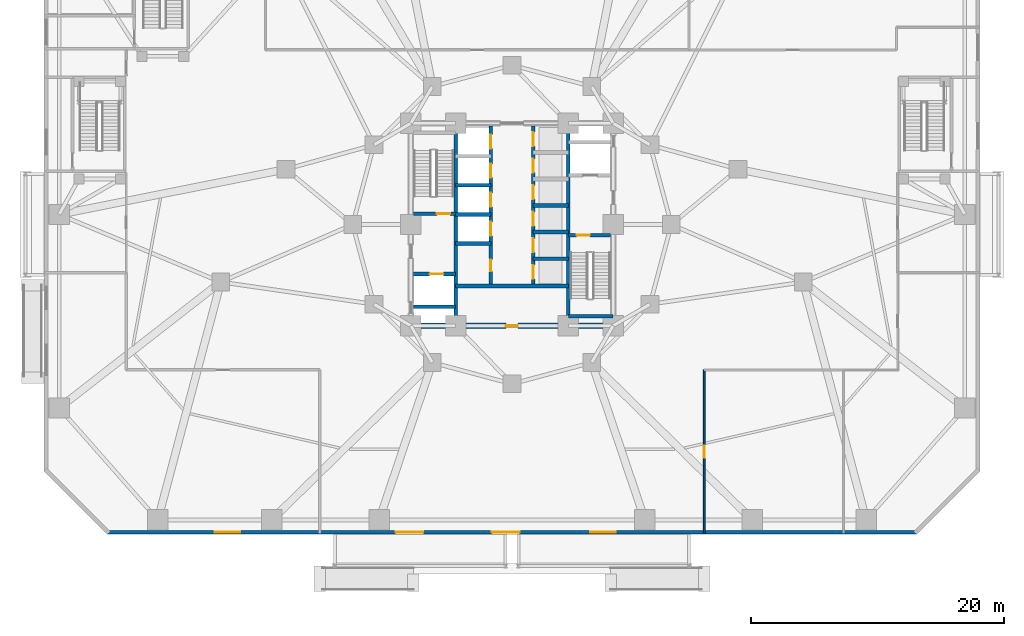
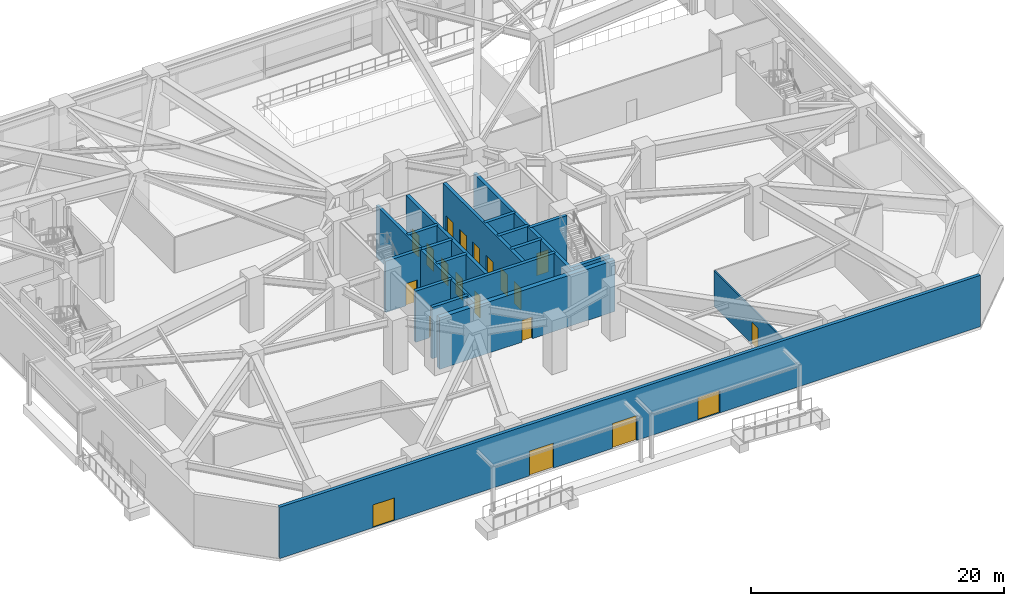
# One storey, part 17 of 30: 20 doors, 19 walls, 20 openings.
"""IFC4 building model written with IfcOpenShell, lengths in metres."""

from ifc_helpers import new_model, si_unit, direction, frame, frame_2d, origin, place, context, subcontext, project, spatial, rectangle, extrude, material, layer, layer_set, type_object, element, fill, save


model = new_model("IFC4")

# Units and contexts
model_context = context("Model", 3, precision=1e-05, world=origin(), true_north=direction((0.0, 1.0)))
body_context = subcontext(model_context, "Body", "Model", "MODEL_VIEW")
ifc_project = project(units=[si_unit("LENGTHUNIT", "METRE"), si_unit("AREAUNIT", "SQUARE_METRE"), si_unit("VOLUMEUNIT", "CUBIC_METRE"), si_unit("PLANEANGLEUNIT", "RADIAN"), si_unit("MASSUNIT", "GRAM", prefix="KILO")], contexts=[model_context])

# Site, building, storey
site_placement = place(None, origin())
site = spatial("IfcSite", under=ifc_project, at=site_placement, CompositionType="ELEMENT")
building_placement = place(site_placement, origin())
building = spatial("IfcBuilding", under=site, at=building_placement, Name="Terralouvre Media Tower", CompositionType="ELEMENT")
storey_placement = place(building_placement, origin())
storey = spatial("IfcBuildingStorey", under=building, at=storey_placement, Name="L00", CompositionType="ELEMENT", Elevation=0.0)

# Walls
ifc_material_1 = material(Name="Concrete C50/60", Category="concrete")
ifc_layer_1 = layer(ifc_material_1, 0.300048828125, Name="Core Internal Shaft Wall CW-300")
ifc_layer_set_1 = layer_set([ifc_layer_1], Name="Concrete C50/60")
wall_type_1 = type_object("IfcWallType", Name="Core Internal Shaft Wall CW-300", PredefinedType="SHEAR", material=ifc_layer_set_1)
for number, where, z_axis, x_axis, name in (
    (1, (-4.449951171875, -7.7900390625, 0.0), (0.0, 0.0, 1.0), (0.0, 1.0, 0.0), "L00 Core Shaft Wall SPW"),
    (2, (4.449951171875, -7.7900390625, 0.0), (0.0, 0.0, 1.0), (0.0, 1.0, 0.0), "L00 Core Shaft Wall SPE"),
):
    element("IfcWall", number, at=place(storey_placement, frame(where, z_axis=z_axis, x_axis=x_axis)), inside=storey, type_object=wall_type_1, Name=name, PredefinedType="SHEAR", context=body_context, shape_type="SweptSolid", body=[
        extrude(rectangle(XDim=15.580078125, YDim=0.300048828125, at=frame_2d((7.7900390625, 0.0))), origin(), (0.0, 0.0, 1.0), 4.949951171875),
    ])

# Wall, opening, door
wall_1_placement = place(storey_placement, frame((-7.7900390625, 0.85009765625, 0.0), z_axis=(0.0, 0.0, 1.0), x_axis=(1.0, 0.0, 0.0)))
wall_1 = element("IfcWall", 3, at=wall_1_placement, inside=storey, type_object=wall_type_1, Name="L00 Core Shaft Wall ST1D", PredefinedType="SHEAR", context=body_context, shape_type="SweptSolid", body=[
    extrude(rectangle(XDim=3.340087890625, YDim=0.300048828125, at=frame_2d((1.669921875, 0.0))), origin(), (0.0, 0.0, 1.0), 4.949951171875),
])
opening_1_placement = place(wall_1_placement, frame((1.85009765625, 0.0, 0.0)))
opening_1 = element("IfcOpeningElement", 4, at=opening_1_placement, cuts=wall_1, Name="Opening FD-01-105X215", PredefinedType="OPENING", context=body_context, shape_type="SweptSolid", body=[
    extrude(rectangle(XDim=1.050048828125, YDim=2.14990234375, at=frame_2d((0.52490234375, 1.074951171875))), frame((0.0, 0.159912109375, 0.0), z_axis=(0.0, -1.0, 0.0), x_axis=(1.0, 0.0, 0.0)), (0.0, 0.0, 1.0), 0.320068359375),
])
ifc_material_2 = material(Name="Galvanised steel fire-resisting leaf", Category="steel")
door_type_1 = type_object("IfcDoorType", Name="Stair and Firefighting Lobby Fire Door FD-01 (1050x2150)", OperationType="NOTDEFINED", PredefinedType="DOOR", material=ifc_material_2)
door_1_placement = place(opening_1_placement, origin())
door_1 = element("IfcDoor", 5, at=door_1_placement, inside=storey, type_object=door_type_1, Name="L00 ST-01 Exit Stair Door", OperationType="SINGLE_SWING_LEFT", OverallHeight=2.14990234375, OverallWidth=1.050048828125, PredefinedType="DOOR", context=body_context, shape_type="SweptSolid", body=[
    extrude(rectangle(XDim=1.050048828125, YDim=2.14990234375, at=frame_2d((0.52490234375, 1.074951171875))), frame((0.0, 0.02490234375, 0.0), z_axis=(0.0, -1.0, 0.0), x_axis=(1.0, 0.0, 0.0)), (0.0, 0.0, 1.0), 0.050048828125),
])
fill(opening_1, door_1)

wall_2_placement = place(storey_placement, frame((4.449951171875, -0.85009765625, 0.0), z_axis=(0.0, 0.0, 1.0), x_axis=(1.0, 0.0, 0.0)))
wall_2 = element("IfcWall", 6, at=wall_2_placement, inside=storey, type_object=wall_type_1, Name="L00 Core Shaft Wall ST2D", PredefinedType="SHEAR", context=body_context, shape_type="SweptSolid", body=[
    extrude(rectangle(XDim=3.340087890625, YDim=0.300048828125, at=frame_2d((1.669921875, 0.0))), origin(), (0.0, 0.0, 1.0), 4.949951171875),
])
opening_2_placement = place(wall_2_placement, frame((0.64990234375, 0.0, 0.0)))
opening_2 = element("IfcOpeningElement", 7, at=opening_2_placement, cuts=wall_2, Name="Opening FD-01-105X215", PredefinedType="OPENING", context=body_context, shape_type="SweptSolid", body=[
    extrude(rectangle(XDim=1.050048828125, YDim=2.14990234375, at=frame_2d((0.52490234375, 1.074951171875))), frame((0.0, 0.159912109375, 0.0), z_axis=(0.0, -1.0, 0.0), x_axis=(1.0, 0.0, 0.0)), (0.0, 0.0, 1.0), 0.320068359375),
])
door_2_placement = place(opening_2_placement, origin())
door_2 = element("IfcDoor", 8, at=door_2_placement, inside=storey, type_object=door_type_1, Name="L00 ST-02 Exit Stair Door", OperationType="SINGLE_SWING_RIGHT", OverallHeight=2.14990234375, OverallWidth=1.050048828125, PredefinedType="DOOR", context=body_context, shape_type="SweptSolid", body=[
    extrude(rectangle(XDim=1.050048828125, YDim=2.14990234375, at=frame_2d((0.52490234375, 1.074951171875))), frame((0.0, 0.02490234375, 0.0), z_axis=(0.0, -1.0, 0.0), x_axis=(1.0, 0.0, 0.0)), (0.0, 0.0, 1.0), 0.050048828125),
])
fill(opening_2, door_2)

# Wall
wall_3_placement = place(storey_placement, frame((4.449951171875, -7.260009765625, 0.0), z_axis=(0.0, 0.0, 1.0), x_axis=(1.0, 0.0, 0.0)))
element("IfcWall", 9, at=wall_3_placement, inside=storey, type_object=wall_type_1, Name="L00 Core Shaft Wall ST2F", PredefinedType="SHEAR", context=body_context, shape_type="SweptSolid", body=[
    extrude(rectangle(XDim=3.550048828125, YDim=0.300048828125, at=frame_2d((1.77490234375, 0.0))), origin(), (0.0, 0.0, 1.0), 4.949951171875),
])

# Wall, opening, door
wall_4_placement = place(storey_placement, frame((-7.7900390625, -3.89990234375, 0.0), z_axis=(0.0, 0.0, 1.0), x_axis=(1.0, 0.0, 0.0)))
wall_4 = element("IfcWall", 10, at=wall_4_placement, inside=storey, type_object=wall_type_1, Name="L00 Core Shaft Wall FF1N", PredefinedType="SHEAR", context=body_context, shape_type="SweptSolid", body=[
    extrude(rectangle(XDim=3.340087890625, YDim=0.300048828125, at=frame_2d((1.669921875, 0.0))), origin(), (0.0, 0.0, 1.0), 4.949951171875),
])
opening_3_placement = place(wall_4_placement, frame((1.27001953125, 0.0, 0.0)))
opening_3 = element("IfcOpeningElement", 11, at=opening_3_placement, cuts=wall_4, Name="Opening LD-FF", PredefinedType="OPENING", context=body_context, shape_type="SweptSolid", body=[
    extrude(rectangle(XDim=1.10009765625, YDim=2.10009765625, at=frame_2d((0.550048828125, 1.050048828125))), frame((0.0, 0.159912109375, 0.0), z_axis=(0.0, -1.0, 0.0), x_axis=(1.0, 0.0, 0.0)), (0.0, 0.0, 1.0), 0.320068359375),
])
ifc_material_3 = material(Name="Stainless steel 316 handrail and balustrade", Category="steel")
door_type_2 = type_object("IfcDoorType", Name="Firefighting Lift Sliding Landing Door LD-FF", OperationType="SLIDING_TO_LEFT", PredefinedType="DOOR", material=ifc_material_3)
door_3_placement = place(opening_3_placement, origin())
door_3 = element("IfcDoor", 12, at=door_3_placement, inside=storey, type_object=door_type_2, Name="L00 Firefighting Lift FFL-01 Landing Door", OperationType="SLIDING_TO_LEFT", OverallHeight=2.10009765625, OverallWidth=1.10009765625, PredefinedType="DOOR", context=body_context, shape_type="SweptSolid", body=[
    extrude(rectangle(XDim=1.10009765625, YDim=2.10009765625, at=frame_2d((0.550048828125, 1.050048828125))), frame((0.0, 0.02490234375, 0.0), z_axis=(0.0, -1.0, 0.0), x_axis=(1.0, 0.0, 0.0)), (0.0, 0.0, 1.0), 0.050048828125),
])
fill(opening_3, door_3)

# Walls
wall_5_placement = place(storey_placement, frame((-7.7900390625, -6.5, 0.0), z_axis=(0.0, 0.0, 1.0), x_axis=(1.0, 0.0, 0.0)))
element("IfcWall", 13, at=wall_5_placement, inside=storey, type_object=wall_type_1, Name="L00 Core Shaft Wall FF1S", PredefinedType="SHEAR", context=body_context, shape_type="SweptSolid", body=[
    extrude(rectangle(XDim=3.340087890625, YDim=0.300048828125, at=frame_2d((1.669921875, 0.0))), origin(), (0.0, 0.0, 1.0), 4.949951171875),
])
wall_6_placement = place(storey_placement, frame((-4.449951171875, -4.85009765625, 0.0), z_axis=(0.0, 0.0, 1.0), x_axis=(1.0, 0.0, 0.0)))
element("IfcWall", 14, at=wall_6_placement, inside=storey, type_object=wall_type_1, Name="L00 Core Shaft Wall CSBN", PredefinedType="SHEAR", context=body_context, shape_type="SweptSolid", body=[
    extrude(rectangle(XDim=8.89990234375, YDim=0.300048828125, at=frame_2d((4.449951171875, 0.0))), origin(), (0.0, 0.0, 1.0), 4.949951171875),
])

# Wall, openings, doors
wall_7_placement = place(storey_placement, frame((-1.679931640625, -4.85009765625, 0.0), z_axis=(0.0, 0.0, 1.0), x_axis=(0.0, 1.0, 0.0)))
wall_7 = element("IfcWall", 15, at=wall_7_placement, inside=storey, type_object=wall_type_1, Name="L00 Core Shaft Wall LBW", PredefinedType="SHEAR", context=body_context, shape_type="SweptSolid", body=[
    extrude(rectangle(XDim=12.64013671875, YDim=0.300048828125, at=frame_2d((6.320068359375, 0.0))), origin(), (0.0, 0.0, 1.0), 4.949951171875),
])
opening_4_placement = place(wall_7_placement, frame((3.949951171875, 0.0, 0.0)))
opening_4 = element("IfcOpeningElement", 16, at=opening_4_placement, cuts=wall_7, Name="Opening LD-PL", PredefinedType="OPENING", context=body_context, shape_type="SweptSolid", body=[
    extrude(rectangle(XDim=1.10009765625, YDim=2.10009765625, at=frame_2d((0.550048828125, 1.050048828125))), frame((0.0, 0.159912109375, 0.0), z_axis=(0.0, -1.0, 0.0), x_axis=(1.0, 0.0, 0.0)), (0.0, 0.0, 1.0), 0.320068359375),
])
opening_5_placement = place(wall_7_placement, frame((6.25, 0.0, 0.0)))
opening_5 = element("IfcOpeningElement", 17, at=opening_5_placement, cuts=wall_7, Name="Opening LD-PL", PredefinedType="OPENING", context=body_context, shape_type="SweptSolid", body=[
    extrude(rectangle(XDim=1.10009765625, YDim=2.10009765625, at=frame_2d((0.550048828125, 1.050048828125))), frame((0.0, 0.159912109375, 0.0), z_axis=(0.0, -1.0, 0.0), x_axis=(1.0, 0.0, 0.0)), (0.0, 0.0, 1.0), 0.320068359375),
])
opening_6_placement = place(wall_7_placement, frame((8.550048828125, 0.0, 0.0)))
opening_6 = element("IfcOpeningElement", 18, at=opening_6_placement, cuts=wall_7, Name="Opening LD-PL", PredefinedType="OPENING", context=body_context, shape_type="SweptSolid", body=[
    extrude(rectangle(XDim=1.10009765625, YDim=2.10009765625, at=frame_2d((0.550048828125, 1.050048828125))), frame((0.0, 0.159912109375, 0.0), z_axis=(0.0, -1.0, 0.0), x_axis=(1.0, 0.0, 0.0)), (0.0, 0.0, 1.0), 0.320068359375),
])
opening_7_placement = place(wall_7_placement, frame((10.85009765625, 0.0, 0.0)))
opening_7 = element("IfcOpeningElement", 19, at=opening_7_placement, cuts=wall_7, Name="Opening LD-PL", PredefinedType="OPENING", context=body_context, shape_type="SweptSolid", body=[
    extrude(rectangle(XDim=1.10009765625, YDim=2.10009765625, at=frame_2d((0.550048828125, 1.050048828125))), frame((0.0, 0.159912109375, 0.0), z_axis=(0.0, -1.0, 0.0), x_axis=(1.0, 0.0, 0.0)), (0.0, 0.0, 1.0), 0.320068359375),
])
opening_8_placement = place(wall_7_placement, frame((1.14990234375, 0.0, 0.0)))
opening_8 = element("IfcOpeningElement", 20, at=opening_8_placement, cuts=wall_7, Name="Opening FD-05-92X210", PredefinedType="OPENING", context=body_context, shape_type="SweptSolid", body=[
    extrude(rectangle(XDim=0.919921875, YDim=2.10009765625, at=frame_2d((0.4599609375, 1.050048828125))), frame((0.0, 0.159912109375, 0.0), z_axis=(0.0, -1.0, 0.0), x_axis=(1.0, 0.0, 0.0)), (0.0, 0.0, 1.0), 0.320068359375),
])
ifc_material_4 = material(Name="Galvanised steel fire-resisting leaf", Category="steel")
door_type_3 = type_object("IfcDoorType", Name="Core Accessible Closet Fire Door FD-05 (920x2100)", OperationType="NOTDEFINED", PredefinedType="DOOR", material=ifc_material_4)
door_4_placement = place(opening_8_placement, origin())
door_4 = element("IfcDoor", 21, at=door_4_placement, inside=storey, type_object=door_type_3, Name="L00 Core Cleaners Closet Door", OperationType="SINGLE_SWING_LEFT", OverallHeight=2.10009765625, OverallWidth=0.919921875, PredefinedType="DOOR", context=body_context, shape_type="SweptSolid", body=[
    extrude(rectangle(XDim=0.919921875, YDim=2.10009765625, at=frame_2d((0.4599609375, 1.050048828125))), frame((0.0, 0.02490234375, 0.0), z_axis=(0.0, -1.0, 0.0), x_axis=(1.0, 0.0, 0.0)), (0.0, 0.0, 1.0), 0.050048828125),
])
fill(opening_8, door_4)
ifc_material_5 = material(Name="Stainless steel 316 handrail and balustrade", Category="steel")
door_type_4 = type_object("IfcDoorType", Name="Passenger Lift Sliding Landing Door LD-PL", OperationType="SLIDING_TO_LEFT", PredefinedType="DOOR", material=ifc_material_5)
door_5_placement = place(opening_4_placement, origin())
door_5 = element("IfcDoor", 22, at=door_5_placement, inside=storey, type_object=door_type_4, Name="L00 Low-Rise Lift PL-L1 Landing Door", OperationType="SLIDING_TO_LEFT", OverallHeight=2.10009765625, OverallWidth=1.10009765625, PredefinedType="DOOR", context=body_context, shape_type="SweptSolid", body=[
    extrude(rectangle(XDim=1.10009765625, YDim=2.10009765625, at=frame_2d((0.550048828125, 1.050048828125))), frame((0.0, 0.02490234375, 0.0), z_axis=(0.0, -1.0, 0.0), x_axis=(1.0, 0.0, 0.0)), (0.0, 0.0, 1.0), 0.050048828125),
])
fill(opening_4, door_5)
door_6_placement = place(opening_5_placement, origin())
door_6 = element("IfcDoor", 23, at=door_6_placement, inside=storey, type_object=door_type_4, Name="L00 Low-Rise Lift PL-L2 Landing Door", OperationType="SLIDING_TO_LEFT", OverallHeight=2.10009765625, OverallWidth=1.10009765625, PredefinedType="DOOR", context=body_context, shape_type="SweptSolid", body=[
    extrude(rectangle(XDim=1.10009765625, YDim=2.10009765625, at=frame_2d((0.550048828125, 1.050048828125))), frame((0.0, 0.02490234375, 0.0), z_axis=(0.0, -1.0, 0.0), x_axis=(1.0, 0.0, 0.0)), (0.0, 0.0, 1.0), 0.050048828125),
])
fill(opening_5, door_6)
door_7_placement = place(opening_6_placement, origin())
door_7 = element("IfcDoor", 24, at=door_7_placement, inside=storey, type_object=door_type_4, Name="L00 Low-Rise Lift PL-L3 Landing Door", OperationType="SLIDING_TO_LEFT", OverallHeight=2.10009765625, OverallWidth=1.10009765625, PredefinedType="DOOR", context=body_context, shape_type="SweptSolid", body=[
    extrude(rectangle(XDim=1.10009765625, YDim=2.10009765625, at=frame_2d((0.550048828125, 1.050048828125))), frame((0.0, 0.02490234375, 0.0), z_axis=(0.0, -1.0, 0.0), x_axis=(1.0, 0.0, 0.0)), (0.0, 0.0, 1.0), 0.050048828125),
])
fill(opening_6, door_7)
door_8_placement = place(opening_7_placement, origin())
door_8 = element("IfcDoor", 25, at=door_8_placement, inside=storey, type_object=door_type_4, Name="L00 Low-Rise Lift PL-L4 Landing Door", OperationType="SLIDING_TO_LEFT", OverallHeight=2.10009765625, OverallWidth=1.10009765625, PredefinedType="DOOR", context=body_context, shape_type="SweptSolid", body=[
    extrude(rectangle(XDim=1.10009765625, YDim=2.10009765625, at=frame_2d((0.550048828125, 1.050048828125))), frame((0.0, 0.02490234375, 0.0), z_axis=(0.0, -1.0, 0.0), x_axis=(1.0, 0.0, 0.0)), (0.0, 0.0, 1.0), 0.050048828125),
])
fill(opening_7, door_8)

wall_8_placement = place(storey_placement, frame((1.679931640625, -4.85009765625, 0.0), z_axis=(0.0, 0.0, 1.0), x_axis=(0.0, 1.0, 0.0)))
wall_8 = element("IfcWall", 26, at=wall_8_placement, inside=storey, type_object=wall_type_1, Name="L00 Core Shaft Wall LBE", PredefinedType="SHEAR", context=body_context, shape_type="SweptSolid", body=[
    extrude(rectangle(XDim=12.64013671875, YDim=0.300048828125, at=frame_2d((6.320068359375, 0.0))), origin(), (0.0, 0.0, 1.0), 4.949951171875),
])
opening_9_placement = place(wall_8_placement, frame((0.550048828125, 0.0, 0.0)))
opening_9 = element("IfcOpeningElement", 27, at=opening_9_placement, cuts=wall_8, Name="Opening LD-PL", PredefinedType="OPENING", context=body_context, shape_type="SweptSolid", body=[
    extrude(rectangle(XDim=1.10009765625, YDim=2.10009765625, at=frame_2d((0.550048828125, 1.050048828125))), frame((0.0, 0.159912109375, 0.0), z_axis=(0.0, -1.0, 0.0), x_axis=(1.0, 0.0, 0.0)), (0.0, 0.0, 1.0), 0.320068359375),
])
opening_10_placement = place(wall_8_placement, frame((2.64990234375, 0.0, 0.0)))
opening_10 = element("IfcOpeningElement", 28, at=opening_10_placement, cuts=wall_8, Name="Opening LD-PL", PredefinedType="OPENING", context=body_context, shape_type="SweptSolid", body=[
    extrude(rectangle(XDim=1.10009765625, YDim=2.10009765625, at=frame_2d((0.550048828125, 1.050048828125))), frame((0.0, 0.159912109375, 0.0), z_axis=(0.0, -1.0, 0.0), x_axis=(1.0, 0.0, 0.0)), (0.0, 0.0, 1.0), 0.320068359375),
])
opening_11_placement = place(wall_8_placement, frame((4.75, 0.0, 0.0)))
opening_11 = element("IfcOpeningElement", 29, at=opening_11_placement, cuts=wall_8, Name="Opening LD-PL", PredefinedType="OPENING", context=body_context, shape_type="SweptSolid", body=[
    extrude(rectangle(XDim=1.10009765625, YDim=2.10009765625, at=frame_2d((0.550048828125, 1.050048828125))), frame((0.0, 0.159912109375, 0.0), z_axis=(0.0, -1.0, 0.0), x_axis=(1.0, 0.0, 0.0)), (0.0, 0.0, 1.0), 0.320068359375),
])
opening_12_placement = place(wall_8_placement, frame((6.85009765625, 0.0, 0.0)))
opening_12 = element("IfcOpeningElement", 30, at=opening_12_placement, cuts=wall_8, Name="Opening LD-PL", PredefinedType="OPENING", context=body_context, shape_type="SweptSolid", body=[
    extrude(rectangle(XDim=1.10009765625, YDim=2.10009765625, at=frame_2d((0.550048828125, 1.050048828125))), frame((0.0, 0.159912109375, 0.0), z_axis=(0.0, -1.0, 0.0), x_axis=(1.0, 0.0, 0.0)), (0.0, 0.0, 1.0), 0.320068359375),
])
opening_13_placement = place(wall_8_placement, frame((8.949951171875, 0.0, 0.0)))
opening_13 = element("IfcOpeningElement", 31, at=opening_13_placement, cuts=wall_8, Name="Opening LD-PL", PredefinedType="OPENING", context=body_context, shape_type="SweptSolid", body=[
    extrude(rectangle(XDim=1.10009765625, YDim=2.10009765625, at=frame_2d((0.550048828125, 1.050048828125))), frame((0.0, 0.159912109375, 0.0), z_axis=(0.0, -1.0, 0.0), x_axis=(1.0, 0.0, 0.0)), (0.0, 0.0, 1.0), 0.320068359375),
])
opening_14_placement = place(wall_8_placement, frame((11.050048828125, 0.0, 0.0)))
opening_14 = element("IfcOpeningElement", 32, at=opening_14_placement, cuts=wall_8, Name="Opening LD-PL", PredefinedType="OPENING", context=body_context, shape_type="SweptSolid", body=[
    extrude(rectangle(XDim=1.10009765625, YDim=2.10009765625, at=frame_2d((0.550048828125, 1.050048828125))), frame((0.0, 0.159912109375, 0.0), z_axis=(0.0, -1.0, 0.0), x_axis=(1.0, 0.0, 0.0)), (0.0, 0.0, 1.0), 0.320068359375),
])
door_9_placement = place(opening_9_placement, origin())
door_9 = element("IfcDoor", 33, at=door_9_placement, inside=storey, type_object=door_type_4, Name="L00 High-Rise Lift PL-H1 Landing Door", OperationType="SLIDING_TO_LEFT", OverallHeight=2.10009765625, OverallWidth=1.10009765625, PredefinedType="DOOR", context=body_context, shape_type="SweptSolid", body=[
    extrude(rectangle(XDim=1.10009765625, YDim=2.10009765625, at=frame_2d((0.550048828125, 1.050048828125))), frame((0.0, 0.02490234375, 0.0), z_axis=(0.0, -1.0, 0.0), x_axis=(1.0, 0.0, 0.0)), (0.0, 0.0, 1.0), 0.050048828125),
])
fill(opening_9, door_9)
door_10_placement = place(opening_10_placement, origin())
door_10 = element("IfcDoor", 34, at=door_10_placement, inside=storey, type_object=door_type_4, Name="L00 High-Rise Lift PL-H2 Landing Door", OperationType="SLIDING_TO_LEFT", OverallHeight=2.10009765625, OverallWidth=1.10009765625, PredefinedType="DOOR", context=body_context, shape_type="SweptSolid", body=[
    extrude(rectangle(XDim=1.10009765625, YDim=2.10009765625, at=frame_2d((0.550048828125, 1.050048828125))), frame((0.0, 0.02490234375, 0.0), z_axis=(0.0, -1.0, 0.0), x_axis=(1.0, 0.0, 0.0)), (0.0, 0.0, 1.0), 0.050048828125),
])
fill(opening_10, door_10)
door_11_placement = place(opening_11_placement, origin())
door_11 = element("IfcDoor", 35, at=door_11_placement, inside=storey, type_object=door_type_4, Name="L00 High-Rise Lift PL-H3 Landing Door", OperationType="SLIDING_TO_LEFT", OverallHeight=2.10009765625, OverallWidth=1.10009765625, PredefinedType="DOOR", context=body_context, shape_type="SweptSolid", body=[
    extrude(rectangle(XDim=1.10009765625, YDim=2.10009765625, at=frame_2d((0.550048828125, 1.050048828125))), frame((0.0, 0.02490234375, 0.0), z_axis=(0.0, -1.0, 0.0), x_axis=(1.0, 0.0, 0.0)), (0.0, 0.0, 1.0), 0.050048828125),
])
fill(opening_11, door_11)
door_12_placement = place(opening_12_placement, origin())
door_12 = element("IfcDoor", 36, at=door_12_placement, inside=storey, type_object=door_type_4, Name="L00 Mid-Rise Lift PL-M1 Landing Door", OperationType="SLIDING_TO_LEFT", OverallHeight=2.10009765625, OverallWidth=1.10009765625, PredefinedType="DOOR", context=body_context, shape_type="SweptSolid", body=[
    extrude(rectangle(XDim=1.10009765625, YDim=2.10009765625, at=frame_2d((0.550048828125, 1.050048828125))), frame((0.0, 0.02490234375, 0.0), z_axis=(0.0, -1.0, 0.0), x_axis=(1.0, 0.0, 0.0)), (0.0, 0.0, 1.0), 0.050048828125),
])
fill(opening_12, door_12)
door_13_placement = place(opening_13_placement, origin())
door_13 = element("IfcDoor", 37, at=door_13_placement, inside=storey, type_object=door_type_4, Name="L00 Mid-Rise Lift PL-M2 Landing Door", OperationType="SLIDING_TO_LEFT", OverallHeight=2.10009765625, OverallWidth=1.10009765625, PredefinedType="DOOR", context=body_context, shape_type="SweptSolid", body=[
    extrude(rectangle(XDim=1.10009765625, YDim=2.10009765625, at=frame_2d((0.550048828125, 1.050048828125))), frame((0.0, 0.02490234375, 0.0), z_axis=(0.0, -1.0, 0.0), x_axis=(1.0, 0.0, 0.0)), (0.0, 0.0, 1.0), 0.050048828125),
])
fill(opening_13, door_13)
door_14_placement = place(opening_14_placement, origin())
door_14 = element("IfcDoor", 38, at=door_14_placement, inside=storey, type_object=door_type_4, Name="L00 Mid-Rise Lift PL-M3 Landing Door", OperationType="SLIDING_TO_LEFT", OverallHeight=2.10009765625, OverallWidth=1.10009765625, PredefinedType="DOOR", context=body_context, shape_type="SweptSolid", body=[
    extrude(rectangle(XDim=1.10009765625, YDim=2.10009765625, at=frame_2d((0.550048828125, 1.050048828125))), frame((0.0, 0.02490234375, 0.0), z_axis=(0.0, -1.0, 0.0), x_axis=(1.0, 0.0, 0.0)), (0.0, 0.0, 1.0), 0.050048828125),
])
fill(opening_14, door_14)

# Walls
for number, where, z_axis, x_axis, name in (
    (39, (-4.449951171875, -1.5, 0.0), (0.0, 0.0, 1.0), (1.0, 0.0, 0.0), "L00 Core Shaft Wall PLLD0"),
    (40, (-4.449951171875, 0.800048828125, 0.0), (0.0, 0.0, 1.0), (1.0, 0.0, 0.0), "L00 Core Shaft Wall PLLD1"),
    (41, (-4.449951171875, 3.10009765625, 0.0), (0.0, 0.0, 1.0), (1.0, 0.0, 0.0), "L00 Core Shaft Wall PLLD2"),
    (42, (1.679931640625, 1.5, 0.0), (0.0, 0.0, 1.0), (1.0, 0.0, 0.0), "L00 Core Shaft Wall PLMD0"),
    (43, (1.679931640625, -2.699951171875, 0.0), (0.0, 0.0, 1.0), (1.0, 0.0, 0.0), "L00 Core Shaft Wall PLHD1"),
    (44, (1.679931640625, -0.60009765625, 0.0), (0.0, 0.0, 1.0), (1.0, 0.0, 0.0), "L00 Core Shaft Wall PLHD2"),
):
    element("IfcWall", number, at=place(storey_placement, frame(where, z_axis=z_axis, x_axis=x_axis)), inside=storey, type_object=wall_type_1, Name=name, PredefinedType="SHEAR", context=body_context, shape_type="SweptSolid", body=[
        extrude(rectangle(XDim=2.77001953125, YDim=0.300048828125, at=frame_2d((1.385009765625, 0.0))), origin(), (0.0, 0.0, 1.0), 4.949951171875),
    ])

# Wall, opening, door
ifc_material_6 = material(Name="Concrete C60/75", Category="concrete")
ifc_layer_2 = layer(ifc_material_6, 0.419921875, Name="Core Reinforced Concrete Shear Wall CW-420")
ifc_layer_set_2 = layer_set([ifc_layer_2], Name="Concrete C60/75")
wall_type_2 = type_object("IfcWallType", Name="Core Reinforced Concrete Shear Wall CW-420", PredefinedType="SHEAR", material=ifc_layer_set_2)
wall_9_placement = place(storey_placement, frame((-8.0, -8.0, 0.0), z_axis=(0.0, 0.0, 1.0), x_axis=(1.0, 0.0, 0.0)))
wall_9 = element("IfcWall", 45, at=wall_9_placement, inside=storey, type_object=wall_type_2, Name="L00 S Core Shear Wall", PredefinedType="SHEAR", context=body_context, shape_type="SweptSolid", body=[
    extrude(rectangle(XDim=16.0, YDim=0.419921875, at=frame_2d((8.0, 0.0))), origin(), (0.0, 0.0, 1.0), 4.949951171875),
])
opening_15_placement = place(wall_9_placement, frame((7.52001953125, 0.0, 0.0)))
opening_15 = element("IfcOpeningElement", 46, at=opening_15_placement, cuts=wall_9, Name="Opening FD-02-95X210", PredefinedType="OPENING", context=body_context, shape_type="SweptSolid", body=[
    extrude(rectangle(XDim=0.949951171875, YDim=2.10009765625, at=frame_2d((0.47509765625, 1.050048828125))), frame((0.0, 0.219970703125, 0.0), z_axis=(0.0, -1.0, 0.0), x_axis=(1.0, 0.0, 0.0)), (0.0, 0.0, 1.0), 0.43994140625),
])
ifc_material_7 = material(Name="Galvanised steel fire-resisting leaf", Category="steel")
door_type_5 = type_object("IfcDoorType", Name="Plant and Riser Fire Door FD-02 (950x2100)", OperationType="NOTDEFINED", PredefinedType="DOOR", material=ifc_material_7)
door_15_placement = place(opening_15_placement, origin())
door_15 = element("IfcDoor", 47, at=door_15_placement, inside=storey, type_object=door_type_5, Name="L00 Core Switchgear Plant Door", OperationType="SINGLE_SWING_LEFT", OverallHeight=2.10009765625, OverallWidth=0.949951171875, PredefinedType="DOOR", context=body_context, shape_type="SweptSolid", body=[
    extrude(rectangle(XDim=0.949951171875, YDim=2.10009765625, at=frame_2d((0.47509765625, 1.050048828125))), frame((0.0, 0.02490234375, 0.0), z_axis=(0.0, -1.0, 0.0), x_axis=(1.0, 0.0, 0.0)), (0.0, 0.0, 1.0), 0.050048828125),
])
fill(opening_15, door_15)

ifc_material_8 = material(Name="Fire-rated gypsum board drywall partition")
ifc_layer_3 = layer(ifc_material_8, 0.135009765625, Name="Newsroom Acoustic Partition PT-135")
ifc_layer_set_3 = layer_set([ifc_layer_3], Name="Fire-rated gypsum board drywall partition")
wall_type_3 = type_object("IfcWallType", Name="Newsroom Acoustic Partition PT-135", PredefinedType="PARTITIONING", material=ifc_layer_set_3)
wall_10_placement = place(storey_placement, frame((15.199951171875, -24.419921875, 0.0), z_axis=(0.0, 0.0, 1.0), x_axis=(0.0, 1.0, 0.0)))
wall_10 = element("IfcWall", 48, at=wall_10_placement, inside=storey, type_object=wall_type_3, Name="L00 Interior Partition 004", PredefinedType="PARTITIONING", context=body_context, shape_type="SweptSolid", body=[
    extrude(rectangle(XDim=12.919921875, YDim=0.135009765625, at=frame_2d((6.4599609375, 0.0))), origin(), (0.0, 0.0, 1.0), 3.43505859375),
])
opening_16_placement = place(wall_10_placement, frame((5.985107421875, 0.0, 0.0)))
opening_16 = element("IfcOpeningElement", 49, at=opening_16_placement, cuts=wall_10, Name="Opening ID-02-95X210", PredefinedType="OPENING", context=body_context, shape_type="SweptSolid", body=[
    extrude(rectangle(XDim=0.949951171875, YDim=2.10009765625, at=frame_2d((0.47509765625, 1.050048828125))), frame((0.0, 0.077392578125, 0.0), z_axis=(0.0, -1.0, 0.0), x_axis=(1.0, 0.0, 0.0)), (0.0, 0.0, 1.0), 0.155029296875),
])
ifc_material_9 = material(Name="Engineered hardwood acoustic timber leaf", Category="wood")
door_type_6 = type_object("IfcDoorType", Name="Office and Meeting Room Door ID-02 (950x2100)", OperationType="NOTDEFINED", PredefinedType="DOOR", material=ifc_material_9)
door_16_placement = place(opening_16_placement, origin())
door_16 = element("IfcDoor", 50, at=door_16_placement, inside=storey, type_object=door_type_6, Name="L00 Visitor Accreditation Reception Door", OperationType="SINGLE_SWING_LEFT", OverallHeight=2.10009765625, OverallWidth=0.949951171875, PredefinedType="DOOR", context=body_context, shape_type="SweptSolid", body=[
    extrude(rectangle(XDim=0.949951171875, YDim=2.10009765625, at=frame_2d((0.47509765625, 1.050048828125))), frame((0.0, 0.02490234375, 0.0), z_axis=(0.0, -1.0, 0.0), x_axis=(1.0, 0.0, 0.0)), (0.0, 0.0, 1.0), 0.050048828125),
])
fill(opening_16, door_16)

# Wall, openings, doors
ifc_material_10 = material(Name="Kiln-fired architectural terracotta rainscreen cladding", Category="masonry")
ifc_layer_4 = layer(ifc_material_10, 0.300048828125, Name="Podium Acoustic Terracotta Cladding Wall EW-TC300")
ifc_layer_set_4 = layer_set([ifc_layer_4], Name="Kiln-fired architectural terracotta rainscreen cladding")
wall_type_4 = type_object("IfcWallType", Name="Podium Acoustic Terracotta Cladding Wall EW-TC300", PredefinedType="SOLIDWALL", material=ifc_layer_set_4)
wall_11_placement = place(storey_placement, frame((-32.0, -24.324951171875, 0.0), z_axis=(0.0, 0.0, 1.0), x_axis=(1.0, 0.0, 0.0)))
wall_11 = element("IfcWall", 51, at=wall_11_placement, inside=storey, type_object=wall_type_4, Name="L00 South Entrance Portal Terracotta Wall", PredefinedType="SOLIDWALL", context=body_context, shape_type="SweptSolid", body=[
    extrude(rectangle(XDim=64.0, YDim=0.300048828125, at=frame_2d((32.0, 0.0))), origin(), (0.0, 0.0, 1.0), 4.949951171875),
])
opening_17_placement = place(wall_11_placement, frame((8.5, 0.0, 0.0)))
opening_17 = element("IfcOpeningElement", 52, at=opening_17_placement, cuts=wall_11, Name="Opening ED-02", PredefinedType="OPENING", context=body_context, shape_type="SweptSolid", body=[
    extrude(rectangle(XDim=2.0, YDim=2.199951171875, at=frame_2d((1.0, 1.10009765625))), frame((0.0, 0.159912109375, 0.0), z_axis=(0.0, -1.0, 0.0), x_axis=(1.0, 0.0, 0.0)), (0.0, 0.0, 1.0), 0.320068359375),
])
opening_18_placement = place(wall_11_placement, frame((22.800048828125, 0.0, 0.0)))
opening_18 = element("IfcOpeningElement", 53, at=opening_18_placement, cuts=wall_11, Name="Opening ED-01", PredefinedType="OPENING", context=body_context, shape_type="SweptSolid", body=[
    extrude(rectangle(XDim=2.199951171875, YDim=2.39990234375, at=frame_2d((1.10009765625, 1.199951171875))), frame((0.0, 0.159912109375, 0.0), z_axis=(0.0, -1.0, 0.0), x_axis=(1.0, 0.0, 0.0)), (0.0, 0.0, 1.0), 0.320068359375),
])
opening_19_placement = place(wall_11_placement, frame((30.39990234375, 0.0, 0.0)))
opening_19 = element("IfcOpeningElement", 54, at=opening_19_placement, cuts=wall_11, Name="Opening ED-01", PredefinedType="OPENING", context=body_context, shape_type="SweptSolid", body=[
    extrude(rectangle(XDim=2.199951171875, YDim=2.39990234375, at=frame_2d((1.10009765625, 1.199951171875))), frame((0.0, 0.159912109375, 0.0), z_axis=(0.0, -1.0, 0.0), x_axis=(1.0, 0.0, 0.0)), (0.0, 0.0, 1.0), 0.320068359375),
])
opening_20_placement = place(wall_11_placement, frame((38.199951171875, 0.0, 0.0)))
opening_20 = element("IfcOpeningElement", 55, at=opening_20_placement, cuts=wall_11, Name="Opening ED-02", PredefinedType="OPENING", context=body_context, shape_type="SweptSolid", body=[
    extrude(rectangle(XDim=2.0, YDim=2.199951171875, at=frame_2d((1.0, 1.10009765625))), frame((0.0, 0.159912109375, 0.0), z_axis=(0.0, -1.0, 0.0), x_axis=(1.0, 0.0, 0.0)), (0.0, 0.0, 1.0), 0.320068359375),
])
ifc_material_11 = material(Name="Galvanised steel sheet and fire-rated mineral core", Category="steel")
door_type_7 = type_object("IfcDoorType", Name="Ground Final Exit Double Door ED-02", OperationType="DOUBLE_DOOR_SINGLE_SWING", PredefinedType="DOOR", material=ifc_material_11)
door_17_placement = place(opening_17_placement, frame((2.0, 0.0, 0.0), z_axis=(0.0, 0.0, 1.0), x_axis=(-1.0, 0.0, 0.0)))
door_17 = element("IfcDoor", 56, at=door_17_placement, inside=storey, type_object=door_type_7, Name="L00 Fire Command Centre Firefighter Entrance Door", OperationType="DOUBLE_DOOR_SINGLE_SWING", OverallHeight=2.199951171875, OverallWidth=2.0, PredefinedType="DOOR", context=body_context, shape_type="SweptSolid", body=[
    extrude(rectangle(XDim=2.0, YDim=2.199951171875, at=frame_2d((1.0, 1.10009765625))), frame((0.0, 0.02490234375, 0.0), z_axis=(0.0, -1.0, 0.0), x_axis=(1.0, 0.0, 0.0)), (0.0, 0.0, 1.0), 0.050048828125),
])
fill(opening_17, door_17)
door_18_placement = place(opening_20_placement, frame((2.0, 0.0, 0.0), z_axis=(0.0, 0.0, 1.0), x_axis=(-1.0, 0.0, 0.0)))
door_18 = element("IfcDoor", 57, at=door_18_placement, inside=storey, type_object=door_type_7, Name="L00 South Final Exit Door S3", OperationType="DOUBLE_DOOR_SINGLE_SWING", OverallHeight=2.199951171875, OverallWidth=2.0, PredefinedType="DOOR", context=body_context, shape_type="SweptSolid", body=[
    extrude(rectangle(XDim=2.0, YDim=2.199951171875, at=frame_2d((1.0, 1.10009765625))), frame((0.0, 0.02490234375, 0.0), z_axis=(0.0, -1.0, 0.0), x_axis=(1.0, 0.0, 0.0)), (0.0, 0.0, 1.0), 0.050048828125),
])
fill(opening_20, door_18)
ifc_material_12 = material(Name="Anodised extruded aluminium 6063-T6", Category="aluminium")
door_type_8 = type_object("IfcDoorType", Name="Main Broadcast Entrance Double Door ED-01", OperationType="DOUBLE_DOOR_SINGLE_SWING", PredefinedType="DOOR", material=ifc_material_12)
door_19_placement = place(opening_18_placement, frame((2.199951171875, 0.0, 0.0), z_axis=(0.0, 0.0, 1.0), x_axis=(-1.0, 0.0, 0.0)))
door_19 = element("IfcDoor", 58, at=door_19_placement, inside=storey, type_object=door_type_8, Name="L00 Main South Entrance Door S1", OperationType="DOUBLE_DOOR_SINGLE_SWING", OverallHeight=2.39990234375, OverallWidth=2.199951171875, PredefinedType="DOOR", context=body_context, shape_type="SweptSolid", body=[
    extrude(rectangle(XDim=2.199951171875, YDim=2.39990234375, at=frame_2d((1.10009765625, 1.199951171875))), frame((0.0, 0.02490234375, 0.0), z_axis=(0.0, -1.0, 0.0), x_axis=(1.0, 0.0, 0.0)), (0.0, 0.0, 1.0), 0.050048828125),
])
fill(opening_18, door_19)
door_20_placement = place(opening_19_placement, frame((2.199951171875, 0.0, 0.0), z_axis=(0.0, 0.0, 1.0), x_axis=(-1.0, 0.0, 0.0)))
door_20 = element("IfcDoor", 59, at=door_20_placement, inside=storey, type_object=door_type_8, Name="L00 Main South Entrance Door S2", OperationType="DOUBLE_DOOR_SINGLE_SWING", OverallHeight=2.39990234375, OverallWidth=2.199951171875, PredefinedType="DOOR", context=body_context, shape_type="SweptSolid", body=[
    extrude(rectangle(XDim=2.199951171875, YDim=2.39990234375, at=frame_2d((1.10009765625, 1.199951171875))), frame((0.0, 0.02490234375, 0.0), z_axis=(0.0, -1.0, 0.0), x_axis=(1.0, 0.0, 0.0)), (0.0, 0.0, 1.0), 0.050048828125),
])
fill(opening_19, door_20)

save(model, "model.ifc")
